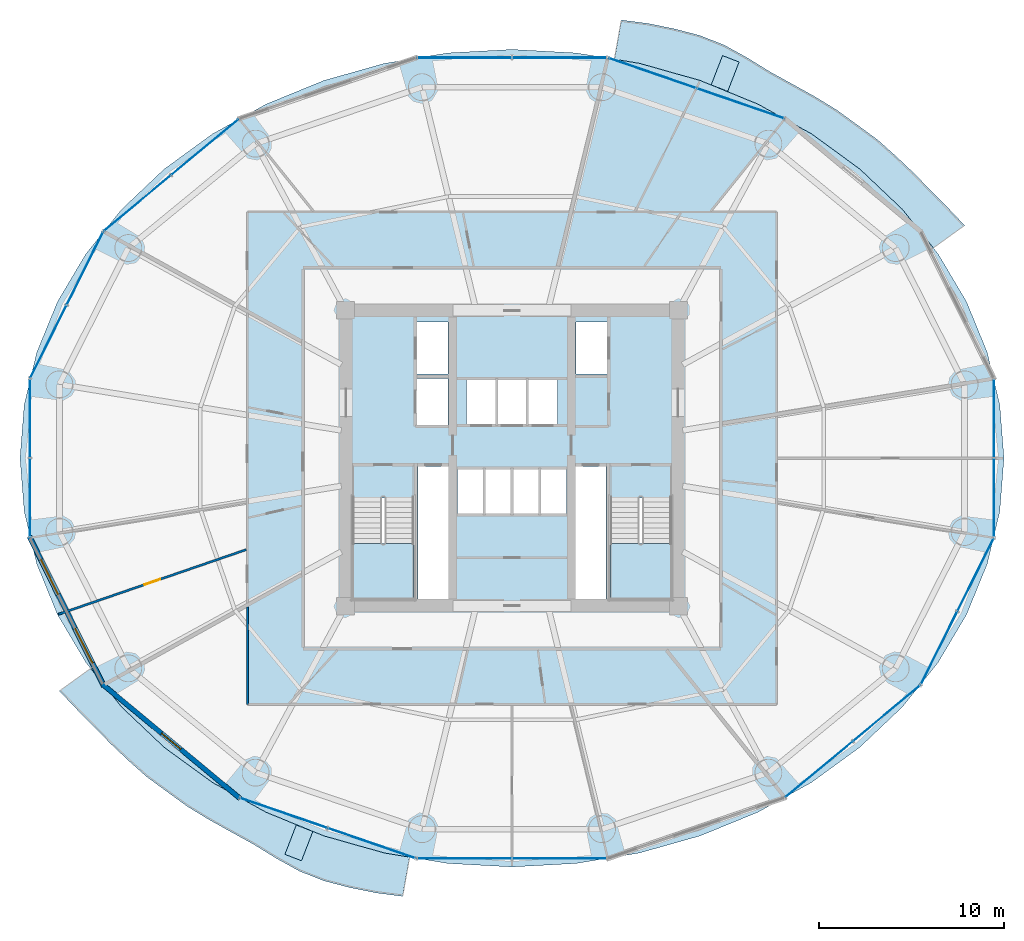
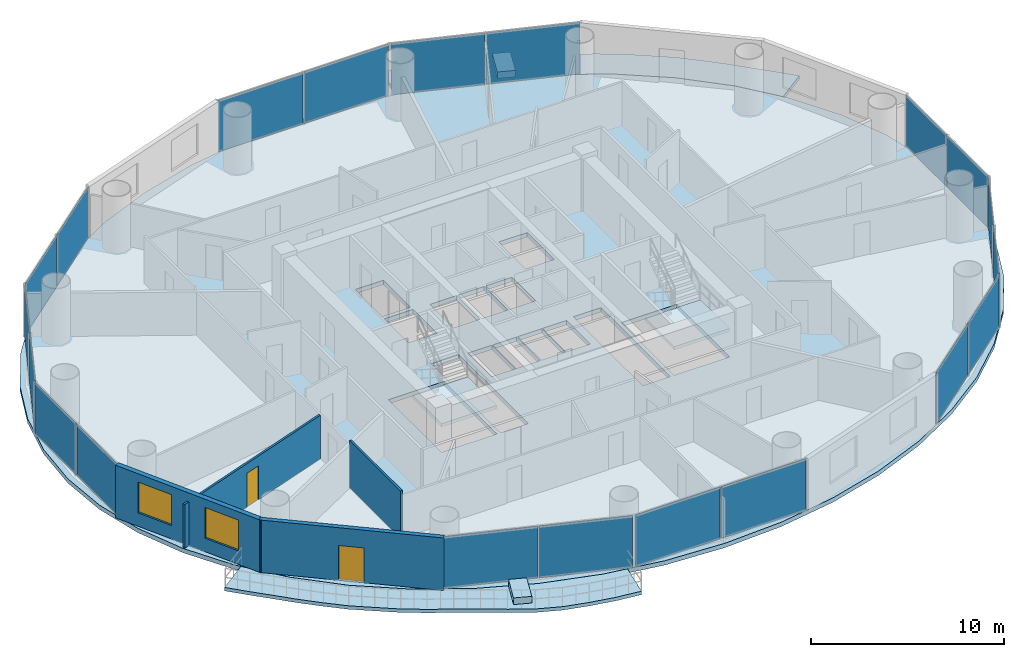
# One storey, part 21 of 29: 20 plates, 7 slabs, 4 walls, 2 doors, 2 windows, 4 openings, 12 elements without a shape of their own.
"""IFC4 building model written with IfcOpenShell, lengths in metres."""

from ifc_helpers import new_model, si_unit, direction, frame, frame_2d, origin, origin_2d, place, context, subcontext, project, spatial, polyline, rectangle, outline, extrude, source, transform, mapped, material, layer, layer_set, type_object, element, fill, aggregate, save


model = new_model("IFC4")

# Units and contexts
model_context = context("Model", 3, precision=1e-05, world=origin(), true_north=direction((-0.2419218956, 0.970295726276)))
body_context = subcontext(model_context, "Body", "Model", "MODEL_VIEW")
ifc_project = project(units=[si_unit("LENGTHUNIT", "METRE"), si_unit("AREAUNIT", "SQUARE_METRE"), si_unit("VOLUMEUNIT", "CUBIC_METRE"), si_unit("PLANEANGLEUNIT", "RADIAN"), si_unit("MASSUNIT", "GRAM", prefix="KILO")], contexts=[model_context])

# Site, building, storey
site_placement = place(None, origin())
site = spatial("IfcSite", under=ifc_project, at=site_placement, CompositionType="ELEMENT")
building_placement = place(site_placement, origin())
building = spatial("IfcBuilding", under=site, at=building_placement, Name="Cobrevalo Terracotta Tower", CompositionType="ELEMENT")
storey_placement = place(building_placement, frame((0.0, 0.0, 123.0)))
storey = spatial("IfcBuildingStorey", under=building, at=storey_placement, Name="L32", CompositionType="ELEMENT", Elevation=123.0)

# Stair, slab
ifc_material_1 = material(Name="Concrete C50", Category="concrete")
stair_type = type_object("IfcStairType", Name="Core protected escape dogleg stair 1600", PredefinedType="HALF_TURN_STAIR", material=ifc_material_1)
stair_1_placement = place(storey_placement, origin())
stair_1 = element("IfcStair", 1, at=stair_1_placement, inside=storey, type_object=stair_type, Name="L32 Protected exit stair ST-1", PredefinedType="HALF_TURN_STAIR")
ifc_layer_1 = layer(ifc_material_1, 0.199951171875)
ifc_layer_set_1 = layer_set([ifc_layer_1], Name="Concrete C50")
slab_type_1 = type_object("IfcSlabType", Name="Reinforced Concrete Stair Landing 200", PredefinedType="LANDING", material=ifc_layer_set_1)
slab_1_placement = place(storey_placement, frame((0.0, 0.0, 1.60009765625)))
slab_1 = element("IfcSlab", 2, at=slab_1_placement, type_object=slab_type_1, Name="ST-1 landing 1", PredefinedType="LANDING", context=body_context, shape_type="SweptSolid", body=[
    extrude(outline(polyline([(29.375, 22.179931640625), (29.375, 19.175048828125), (32.695068359375, 19.175048828125), (32.695068359375, 22.179931640625), (29.375, 22.179931640625)])), origin(), (0.0, 0.0, 1.0), 0.199951171875),
])
aggregate(stair_1, [slab_1])

stair_2_placement = place(storey_placement, origin())
stair_2 = element("IfcStair", 3, at=stair_2_placement, inside=storey, type_object=stair_type, Name="L32 Protected exit stair ST-2", PredefinedType="HALF_TURN_STAIR")
slab_2_placement = place(storey_placement, frame((0.0, 0.0, 1.60009765625)))
slab_2 = element("IfcSlab", 4, at=slab_2_placement, type_object=slab_type_1, Name="ST-2 landing 1", PredefinedType="LANDING", context=body_context, shape_type="SweptSolid", body=[
    extrude(outline(polyline([(43.304931640625, 22.179931640625), (43.304931640625, 19.175048828125), (46.625, 19.175048828125), (46.625, 22.179931640625), (43.304931640625, 22.179931640625)])), origin(), (0.0, 0.0, 1.0), 0.199951171875),
])
aggregate(stair_2, [slab_2])

# Slabs
ifc_material_2 = material(Name="Concrete C45", Category="concrete")
ifc_layer_2 = layer(ifc_material_2, 0.219970703125)
ifc_layer_set_2 = layer_set([ifc_layer_2], Name="Concrete C45")
slab_type_2 = type_object("IfcSlabType", Name="Spiralling cantilevered balcony lobe slab 220 mm", PredefinedType="FLOOR", material=ifc_layer_set_2)
slab_3_placement = place(storey_placement, frame((0.0, 0.0, -0.219970703125)))
element("IfcSlab", 5, at=slab_3_placement, inside=storey, type_object=slab_type_2, Name="L32 spiralling arc balcony slab lobe 1", PredefinedType="FLOOR", context=body_context, shape_type="SweptSolid", body=[
    extrude(outline(polyline([(62.4775390625, 39.376953125), (61.565673828125, 40.339599609375), (60.64111328125, 41.2724609375), (59.715087890625, 42.221435546875), (58.7470703125, 43.138427734375), (57.74951171875, 44.027587890625), (56.652099609375, 44.830322265625), (55.553466796875, 45.62841796875), (54.381103515625, 46.34375), (53.172119140625, 47.015625), (51.959228515625, 47.68408203125), (50.747802734375, 48.431884765625), (49.495361328125, 49.12548828125), (48.161865234375, 49.65380859375), (46.764404296875, 50.017333984375), (45.353271484375, 50.30322265625), (43.91357421875, 50.49072265625), (43.5380859375, 48.37158203125), (44.885009765625, 48.14892578125), (48.18017578125, 47.219482421875), (51.301025390625, 45.94091796875), (54.1943359375, 44.334716796875), (56.810546875, 42.428466796875), (59.104736328125, 40.2548828125), (60.79052734375, 38.158935546875), (62.4775390625, 39.376953125)])), origin(), (0.0, 0.0, 1.0), 0.219970703125),
])
slab_4_placement = place(storey_placement, frame((0.0, 0.0, -0.219970703125)))
element("IfcSlab", 6, at=slab_4_placement, inside=storey, type_object=slab_type_2, Name="L32 spiralling arc balcony slab lobe 2", PredefinedType="FLOOR", context=body_context, shape_type="SweptSolid", body=[
    extrude(outline(polyline([(13.5224609375, 14.222900390625), (14.434326171875, 13.260498046875), (15.35888671875, 12.327392578125), (16.284912109375, 11.37841796875), (17.2529296875, 10.46142578125), (18.25048828125, 9.572509765625), (19.347900390625, 8.769775390625), (20.446533203125, 7.971435546875), (21.618896484375, 7.25634765625), (22.827880859375, 6.58447265625), (24.040771484375, 5.916015625), (25.252197265625, 5.168212890625), (26.504638671875, 4.474365234375), (27.838134765625, 3.9462890625), (29.235595703125, 3.582763671875), (30.646728515625, 3.296875), (32.08642578125, 3.109375), (32.4619140625, 5.228515625), (31.114990234375, 5.451171875), (27.81982421875, 6.38037109375), (24.698974609375, 7.6591796875), (21.8056640625, 9.265380859375), (19.189453125, 11.171630859375), (16.895263671875, 13.34521484375), (15.20947265625, 15.441162109375), (13.5224609375, 14.222900390625)])), origin(), (0.0, 0.0, 1.0), 0.219970703125),
])
ifc_material_3 = material(Name="Precast concrete C45", Category="concrete")
ifc_layer_3 = layer(ifc_material_3, 0.419921875)
ifc_layer_set_3 = layer_set([ifc_layer_3], Name="Precast concrete C45")
slab_type_3 = type_object("IfcSlabType", Name="Structural tree planter trough base 420 mm", PredefinedType="USERDEFINED", material=ifc_layer_set_3)
slab_5_placement = place(storey_placement, origin())
element("IfcSlab", 7, at=slab_5_placement, inside=storey, type_object=slab_type_3, Name="L32 structural tree planter trough 1", ObjectType="PLANTER", PredefinedType="USERDEFINED", context=body_context, shape_type="SweptSolid", body=[
    extrude(outline(polyline([(49.663818359375, 46.634033203125), (50.277099609375, 48.219482421875), (49.381591796875, 48.56591796875), (48.768310546875, 46.980224609375), (49.663818359375, 46.634033203125)])), origin(), (0.0, 0.0, 1.0), 0.419921875),
])
slab_6_placement = place(storey_placement, origin())
element("IfcSlab", 8, at=slab_6_placement, inside=storey, type_object=slab_type_3, Name="L32 structural tree planter trough 2", ObjectType="PLANTER", PredefinedType="USERDEFINED", context=body_context, shape_type="SweptSolid", body=[
    extrude(outline(polyline([(26.336181640625, 6.966064453125), (25.722900390625, 5.380615234375), (26.618408203125, 5.0341796875), (27.231689453125, 6.61962890625), (26.336181640625, 6.966064453125)])), origin(), (0.0, 0.0, 1.0), 0.419921875),
])
ifc_layer_4 = layer(ifc_material_1, 0.27490234375)
ifc_layer_set_4 = layer_set([ifc_layer_4], Name="Concrete C50")
slab_type_4 = type_object("IfcSlabType", Name="Zone Z2 elliptical floor plate 275 mm", PredefinedType="FLOOR", material=ifc_layer_set_4)
slab_7_placement = place(storey_placement, frame((0.0, 0.0, -0.27490234375)))
element("IfcSlab", 9, at=slab_7_placement, inside=storey, type_object=slab_type_4, Name="L32 indoor elliptical floor slab", PredefinedType="FLOOR", context=body_context, shape_type="SweptSolid", body=[
    extrude(outline(polyline([(64.372314453125, 23.915283203125), (63.693603515625, 21.080078125), (62.5751953125, 18.3427734375), (61.036376953125, 15.75), (59.103271484375, 13.346435546875), (56.80908203125, 11.1728515625), (54.193115234375, 9.266845703125), (51.300048828125, 7.660888671875), (48.179443359375, 6.38232421875), (44.884521484375, 5.453125), (41.471923828125, 4.88916015625), (38.0, 4.699951171875), (34.528076171875, 4.88916015625), (31.115478515625, 5.453125), (27.820556640625, 6.38232421875), (24.699951171875, 7.660888671875), (21.806884765625, 9.266845703125), (19.19091796875, 11.1728515625), (16.896728515625, 13.346435546875), (14.963623046875, 15.75), (13.4248046875, 18.3427734375), (12.306396484375, 21.080078125), (11.627685546875, 23.915283203125), (11.39990234375, 26.800048828125), (11.627685546875, 29.6845703125), (12.306396484375, 32.52001953125), (13.4248046875, 35.25732421875), (14.963623046875, 37.85009765625), (16.896728515625, 40.253662109375), (19.19091796875, 42.427001953125), (21.806884765625, 44.3330078125), (24.699951171875, 45.939208984375), (27.820556640625, 47.2177734375), (31.115478515625, 48.14697265625), (34.528076171875, 48.7109375), (38.0, 48.89990234375), (41.471923828125, 48.7109375), (44.884521484375, 48.14697265625), (48.179443359375, 47.2177734375), (51.300048828125, 45.939208984375), (54.193115234375, 44.3330078125), (56.80908203125, 42.427001953125), (59.103271484375, 40.253662109375), (61.036376953125, 37.85009765625), (62.5751953125, 35.25732421875), (63.693603515625, 32.52001953125), (64.372314453125, 29.6845703125), (64.60009765625, 26.800048828125), (64.372314453125, 23.915283203125)]), holes=[polyline([(32.695068359375, 19.175048828125), (32.695068359375, 24.659912109375), (29.375, 24.659912109375), (29.375, 19.175048828125), (32.695068359375, 19.175048828125)]), polyline([(34.574951171875, 19.175048828125), (34.574951171875, 26.360107421875), (32.919921875, 26.360107421875), (32.919921875, 19.175048828125), (34.574951171875, 19.175048828125)]), polyline([(36.47998046875, 23.800048828125), (36.47998046875, 26.25), (35.050048828125, 26.25), (35.050048828125, 23.800048828125), (36.47998046875, 23.800048828125)]), polyline([(37.9599609375, 23.800048828125), (37.9599609375, 26.25), (36.530029296875, 26.25), (36.530029296875, 23.800048828125), (37.9599609375, 23.800048828125)]), polyline([(37.1201171875, 28.60009765625), (37.1201171875, 31.050048828125), (35.550048828125, 31.050048828125), (35.550048828125, 28.60009765625), (37.1201171875, 28.60009765625)]), polyline([(34.550048828125, 28.60009765625), (34.550048828125, 31.10009765625), (32.85009765625, 31.10009765625), (32.85009765625, 28.60009765625), (34.550048828125, 28.60009765625)]), polyline([(34.550048828125, 31.35009765625), (34.550048828125, 34.14990234375), (32.85009765625, 34.14990234375), (32.85009765625, 31.35009765625), (34.550048828125, 31.35009765625)]), polyline([(46.625, 19.175048828125), (46.625, 24.659912109375), (43.304931640625, 24.659912109375), (43.304931640625, 19.175048828125), (46.625, 19.175048828125)]), polyline([(43.080078125, 19.175048828125), (43.080078125, 26.360107421875), (41.425048828125, 26.360107421875), (41.425048828125, 19.175048828125), (43.080078125, 19.175048828125)]), polyline([(39.469970703125, 23.800048828125), (39.469970703125, 26.25), (38.0400390625, 26.25), (38.0400390625, 23.800048828125), (39.469970703125, 23.800048828125)]), polyline([(40.949951171875, 23.800048828125), (40.949951171875, 26.25), (39.52001953125, 26.25), (39.52001953125, 23.800048828125), (40.949951171875, 23.800048828125)]), polyline([(38.780029296875, 28.60009765625), (38.780029296875, 31.050048828125), (37.219970703125, 31.050048828125), (37.219970703125, 28.60009765625), (38.780029296875, 28.60009765625)]), polyline([(40.449951171875, 28.60009765625), (40.449951171875, 31.050048828125), (38.8798828125, 31.050048828125), (38.8798828125, 28.60009765625), (40.449951171875, 28.60009765625)]), polyline([(43.14990234375, 31.35009765625), (43.14990234375, 34.14990234375), (41.449951171875, 34.14990234375), (41.449951171875, 31.35009765625), (43.14990234375, 31.35009765625)])]), origin(), (0.0, 0.0, 1.0), 0.27490234375),
])

# Curtain wall, plates
ifc_material_4 = material(Name="Anodized aluminium", Category="aluminium")
curtain_wall_type = type_object("IfcCurtainWallType", Name="Lower-tower unitised acoustic low-E curtain wall CW-U1", PredefinedType="NOTDEFINED", material=ifc_material_4)
curtain_wall_1_placement = place(storey_placement, origin())
curtain_wall_1 = element("IfcCurtainWall", 10, at=curtain_wall_1_placement, inside=storey, type_object=curtain_wall_type, Name="L32 curtain wall CW-L32-S03", PredefinedType="NOTDEFINED")
ifc_material_5 = material(Name="Solar-control low-E double glazing", Category="glass")
ifc_layer_5 = layer(ifc_material_5, 0.028076171875)
ifc_layer_set_5 = layer_set([ifc_layer_5], Name="Solar-control low-E double glazing")
plate_type = type_object("IfcPlateType", Name="Tower solar-control low-E vision glass panel 28 mm", PredefinedType="CURTAIN_PANEL", material=ifc_layer_set_5)
shared_shape_1 = source(origin(), body_context, "Body", "SweptSolid", [
    extrude(rectangle(XDim=4.944580078125, YDim=0.035888671875, at=origin_2d()), origin(), (0.0, 0.0, 1.0), 3.2451171875),
])
plate_1_placement = place(storey_placement, frame((50.34814453125, 45.98095703125, 0.0400390625), z_axis=(0.0, 0.0, 1.0), x_axis=(-0.945596395206, 0.325342062104, 0.0)))
plate_1 = element("IfcPlate", 11, at=plate_1_placement, type_object=plate_type, Name="CW-L32-S03 glazing panel B01", PredefinedType="CURTAIN_PANEL", context=body_context, shape_type="MappedRepresentation", body=[
    mapped(shared_shape_1, transform((0.0, 0.0, 0.0), scale=1.0)),
])
plate_2_placement = place(storey_placement, frame((45.596923828125, 47.615478515625, 0.0400390625), z_axis=(0.0, 0.0, 1.0), x_axis=(-0.945596395206, 0.325342062104, 0.0)))
plate_2 = element("IfcPlate", 12, at=plate_2_placement, type_object=plate_type, Name="CW-L32-S03 glazing panel B02", PredefinedType="CURTAIN_PANEL", context=body_context, shape_type="MappedRepresentation", body=[
    mapped(shared_shape_1, transform((0.0, 0.0, 0.0), scale=1.0)),
])
aggregate(curtain_wall_1, [plate_1, plate_2])

curtain_wall_2_placement = place(storey_placement, origin())
curtain_wall_2 = element("IfcCurtainWall", 13, at=curtain_wall_2_placement, inside=storey, type_object=curtain_wall_type, Name="L32 curtain wall CW-L32-S11", PredefinedType="NOTDEFINED")
plate_3_placement = place(storey_placement, frame((25.65185546875, 7.619140625, 0.0400390625), z_axis=(0.0, 0.0, 1.0), x_axis=(0.945596395206, -0.325342062104, 0.0)))
plate_3 = element("IfcPlate", 14, at=plate_3_placement, type_object=plate_type, Name="CW-L32-S11 glazing panel B01", PredefinedType="CURTAIN_PANEL", context=body_context, shape_type="MappedRepresentation", body=[
    mapped(shared_shape_1, transform((0.0, 0.0, 0.0), scale=1.0)),
])
plate_4_placement = place(storey_placement, frame((30.403076171875, 5.984375, 0.0400390625), z_axis=(0.0, 0.0, 1.0), x_axis=(0.945596395206, -0.325342062104, 0.0)))
plate_4 = element("IfcPlate", 15, at=plate_4_placement, type_object=plate_type, Name="CW-L32-S11 glazing panel B02", PredefinedType="CURTAIN_PANEL", context=body_context, shape_type="MappedRepresentation", body=[
    mapped(shared_shape_1, transform((0.0, 0.0, 0.0), scale=1.0)),
])
aggregate(curtain_wall_2, [plate_3, plate_4])

curtain_wall_3_placement = place(storey_placement, origin())
curtain_wall_3 = element("IfcCurtainWall", 16, at=curtain_wall_3_placement, inside=storey, type_object=curtain_wall_type, Name="L32 curtain wall CW-L32-S04", PredefinedType="NOTDEFINED")
shared_shape_2 = source(origin(), body_context, "Body", "SweptSolid", [
    extrude(rectangle(XDim=5.0634765625, YDim=0.035888671875, at=origin_2d()), origin(), (0.0, 0.0, 1.0), 3.2451171875),
])
plate_5_placement = place(storey_placement, frame((40.57177734375, 48.446044921875, 0.0400390625), z_axis=(0.0, 0.0, 1.0), x_axis=(-1.0, 0.0, 0.0)))
plate_5 = element("IfcPlate", 17, at=plate_5_placement, type_object=plate_type, Name="CW-L32-S04 glazing panel B01", PredefinedType="CURTAIN_PANEL", context=body_context, shape_type="MappedRepresentation", body=[
    mapped(shared_shape_2, transform((0.0, 0.0, 0.0), scale=1.0)),
])
plate_6_placement = place(storey_placement, frame((35.42822265625, 48.446044921875, 0.0400390625), z_axis=(0.0, 0.0, 1.0), x_axis=(-1.0, 0.0, 0.0)))
plate_6 = element("IfcPlate", 18, at=plate_6_placement, type_object=plate_type, Name="CW-L32-S04 glazing panel B02", PredefinedType="CURTAIN_PANEL", context=body_context, shape_type="MappedRepresentation", body=[
    mapped(shared_shape_2, transform((0.0, 0.0, 0.0), scale=1.0)),
])
aggregate(curtain_wall_3, [plate_5, plate_6])

curtain_wall_4_placement = place(storey_placement, origin())
curtain_wall_4 = element("IfcCurtainWall", 19, at=curtain_wall_4_placement, inside=storey, type_object=curtain_wall_type, Name="L32 curtain wall CW-L32-S12", PredefinedType="NOTDEFINED")
plate_7_placement = place(storey_placement, frame((35.42822265625, 5.154052734375, 0.0400390625), z_axis=(0.0, 0.0, 1.0), x_axis=(1.0, 0.0, 0.0)))
plate_7 = element("IfcPlate", 20, at=plate_7_placement, type_object=plate_type, Name="CW-L32-S12 glazing panel B01", PredefinedType="CURTAIN_PANEL", context=body_context, shape_type="MappedRepresentation", body=[
    mapped(shared_shape_2, transform((0.0, 0.0, 0.0), scale=1.0)),
])
plate_8_placement = place(storey_placement, frame((40.57177734375, 5.154052734375, 0.0400390625), z_axis=(0.0, 0.0, 1.0), x_axis=(1.0, 0.0, 0.0)))
plate_8 = element("IfcPlate", 21, at=plate_8_placement, type_object=plate_type, Name="CW-L32-S12 glazing panel B02", PredefinedType="CURTAIN_PANEL", context=body_context, shape_type="MappedRepresentation", body=[
    mapped(shared_shape_2, transform((0.0, 0.0, 0.0), scale=1.0)),
])
aggregate(curtain_wall_4, [plate_7, plate_8])

curtain_wall_5_placement = place(storey_placement, origin())
curtain_wall_5 = element("IfcCurtainWall", 22, at=curtain_wall_5_placement, inside=storey, type_object=curtain_wall_type, Name="L32 curtain wall CW-L32-S06", PredefinedType="NOTDEFINED")
shared_shape_3 = source(origin(), body_context, "Body", "SweptSolid", [
    extrude(rectangle(XDim=4.64501953125, YDim=0.035888671875, at=origin_2d()), origin(), (0.0, 0.0, 1.0), 3.2451171875),
])
plate_9_placement = place(storey_placement, frame((21.390380859375, 43.615478515625, 0.0400390625), z_axis=(0.0, 0.0, 1.0), x_axis=(-0.769241221277, -0.638958483384, 0.0)))
plate_9 = element("IfcPlate", 23, at=plate_9_placement, type_object=plate_type, Name="CW-L32-S06 glazing panel B01", PredefinedType="CURTAIN_PANEL", context=body_context, shape_type="MappedRepresentation", body=[
    mapped(shared_shape_3, transform((0.0, 0.0, 0.0), scale=1.0)),
])
plate_10_placement = place(storey_placement, frame((17.755859375, 40.596435546875, 0.0400390625), z_axis=(0.0, 0.0, 1.0), x_axis=(-0.769241221277, -0.638958483384, 0.0)))
plate_10 = element("IfcPlate", 24, at=plate_10_placement, type_object=plate_type, Name="CW-L32-S06 glazing panel B02", PredefinedType="CURTAIN_PANEL", context=body_context, shape_type="MappedRepresentation", body=[
    mapped(shared_shape_3, transform((0.0, 0.0, 0.0), scale=1.0)),
])
aggregate(curtain_wall_5, [plate_9, plate_10])

curtain_wall_6_placement = place(storey_placement, origin())
curtain_wall_6 = element("IfcCurtainWall", 25, at=curtain_wall_6_placement, inside=storey, type_object=curtain_wall_type, Name="L32 curtain wall CW-L32-S14", PredefinedType="NOTDEFINED")
plate_11_placement = place(storey_placement, frame((54.609619140625, 9.984619140625, 0.0400390625), z_axis=(0.0, 0.0, 1.0), x_axis=(0.769241221277, 0.638958483384, 0.0)))
plate_11 = element("IfcPlate", 26, at=plate_11_placement, type_object=plate_type, Name="CW-L32-S14 glazing panel B01", PredefinedType="CURTAIN_PANEL", context=body_context, shape_type="MappedRepresentation", body=[
    mapped(shared_shape_3, transform((0.0, 0.0, 0.0), scale=1.0)),
])
plate_12_placement = place(storey_placement, frame((58.244140625, 13.00341796875, 0.0400390625), z_axis=(0.0, 0.0, 1.0), x_axis=(0.769241221277, 0.638958483384, 0.0)))
plate_12 = element("IfcPlate", 27, at=plate_12_placement, type_object=plate_type, Name="CW-L32-S14 glazing panel B02", PredefinedType="CURTAIN_PANEL", context=body_context, shape_type="MappedRepresentation", body=[
    mapped(shared_shape_3, transform((0.0, 0.0, 0.0), scale=1.0)),
])
aggregate(curtain_wall_6, [plate_11, plate_12])

curtain_wall_7_placement = place(storey_placement, origin())
curtain_wall_7 = element("IfcCurtainWall", 28, at=curtain_wall_7_placement, inside=storey, type_object=curtain_wall_type, Name="L32 curtain wall CW-L32-S07", PredefinedType="NOTDEFINED")
shared_shape_4 = source(origin(), body_context, "Body", "SweptSolid", [
    extrude(rectangle(XDim=4.3251953125, YDim=0.035888671875, at=origin_2d()), origin(), (0.0, 0.0, 1.0), 3.2451171875),
])
plate_13_placement = place(storey_placement, frame((14.906982421875, 37.0546875, 0.0400390625), z_axis=(0.0, 0.0, 1.0), x_axis=(-0.446261852127, -0.894902430065, 0.0)))
plate_13 = element("IfcPlate", 29, at=plate_13_placement, type_object=plate_type, Name="CW-L32-S07 glazing panel B01", PredefinedType="CURTAIN_PANEL", context=body_context, shape_type="MappedRepresentation", body=[
    mapped(shared_shape_4, transform((0.0, 0.0, 0.0), scale=1.0)),
])
plate_14_placement = place(storey_placement, frame((12.94140625, 33.112548828125, 0.0400390625), z_axis=(0.0, 0.0, 1.0), x_axis=(-0.446261852127, -0.894902430065, 0.0)))
plate_14 = element("IfcPlate", 30, at=plate_14_placement, type_object=plate_type, Name="CW-L32-S07 glazing panel B02", PredefinedType="CURTAIN_PANEL", context=body_context, shape_type="MappedRepresentation", body=[
    mapped(shared_shape_4, transform((0.0, 0.0, 0.0), scale=1.0)),
])
aggregate(curtain_wall_7, [plate_13, plate_14])

curtain_wall_8_placement = place(storey_placement, origin())
curtain_wall_8 = element("IfcCurtainWall", 31, at=curtain_wall_8_placement, inside=storey, type_object=curtain_wall_type, Name="L32 curtain wall CW-L32-S15", PredefinedType="NOTDEFINED")
plate_15_placement = place(storey_placement, frame((61.093017578125, 16.54541015625, 0.0400390625), z_axis=(0.0, 0.0, 1.0), x_axis=(0.446261852127, 0.894902430065, 0.0)))
plate_15 = element("IfcPlate", 32, at=plate_15_placement, type_object=plate_type, Name="CW-L32-S15 glazing panel B01", PredefinedType="CURTAIN_PANEL", context=body_context, shape_type="MappedRepresentation", body=[
    mapped(shared_shape_4, transform((0.0, 0.0, 0.0), scale=1.0)),
])
plate_16_placement = place(storey_placement, frame((63.05859375, 20.487548828125, 0.0400390625), z_axis=(0.0, 0.0, 1.0), x_axis=(0.446261852127, 0.894902430065, 0.0)))
plate_16 = element("IfcPlate", 33, at=plate_16_placement, type_object=plate_type, Name="CW-L32-S15 glazing panel B02", PredefinedType="CURTAIN_PANEL", context=body_context, shape_type="MappedRepresentation", body=[
    mapped(shared_shape_4, transform((0.0, 0.0, 0.0), scale=1.0)),
])
aggregate(curtain_wall_8, [plate_15, plate_16])

curtain_wall_9_placement = place(storey_placement, origin())
curtain_wall_9 = element("IfcCurtainWall", 34, at=curtain_wall_9_placement, inside=storey, type_object=curtain_wall_type, Name="L32 curtain wall CW-L32-S08", PredefinedType="NOTDEFINED")
shared_shape_5 = source(origin(), body_context, "Body", "SweptSolid", [
    extrude(rectangle(XDim=4.185546875, YDim=0.035888671875, at=origin_2d()), origin(), (0.0, 0.0, 1.0), 3.2451171875),
])
plate_17_placement = place(storey_placement, frame((11.9404296875, 28.932861328125, 0.0400390625), z_axis=(0.0, 0.0, 1.0), x_axis=(0.0, -1.0, 0.0)))
plate_17 = element("IfcPlate", 35, at=plate_17_placement, type_object=plate_type, Name="CW-L32-S08 glazing panel B01", PredefinedType="CURTAIN_PANEL", context=body_context, shape_type="MappedRepresentation", body=[
    mapped(shared_shape_5, transform((0.0, 0.0, 0.0), scale=1.0)),
])
plate_18_placement = place(storey_placement, frame((11.9404296875, 24.667236328125, 0.0400390625), z_axis=(0.0, 0.0, 1.0), x_axis=(0.0, -1.0, 0.0)))
plate_18 = element("IfcPlate", 36, at=plate_18_placement, type_object=plate_type, Name="CW-L32-S08 glazing panel B02", PredefinedType="CURTAIN_PANEL", context=body_context, shape_type="MappedRepresentation", body=[
    mapped(shared_shape_5, transform((0.0, 0.0, 0.0), scale=1.0)),
])
aggregate(curtain_wall_9, [plate_17, plate_18])

curtain_wall_10_placement = place(storey_placement, origin())
curtain_wall_10 = element("IfcCurtainWall", 37, at=curtain_wall_10_placement, inside=storey, type_object=curtain_wall_type, Name="L32 curtain wall CW-L32-S16", PredefinedType="NOTDEFINED")
plate_19_placement = place(storey_placement, frame((64.0595703125, 24.667236328125, 0.0400390625), z_axis=(0.0, 0.0, 1.0), x_axis=(0.0, 1.0, 0.0)))
plate_19 = element("IfcPlate", 38, at=plate_19_placement, type_object=plate_type, Name="CW-L32-S16 glazing panel B01", PredefinedType="CURTAIN_PANEL", context=body_context, shape_type="MappedRepresentation", body=[
    mapped(shared_shape_5, transform((0.0, 0.0, 0.0), scale=1.0)),
])
plate_20_placement = place(storey_placement, frame((64.0595703125, 28.932861328125, 0.0400390625), z_axis=(0.0, 0.0, 1.0), x_axis=(0.0, 1.0, 0.0)))
plate_20 = element("IfcPlate", 39, at=plate_20_placement, type_object=plate_type, Name="CW-L32-S16 glazing panel B02", PredefinedType="CURTAIN_PANEL", context=body_context, shape_type="MappedRepresentation", body=[
    mapped(shared_shape_5, transform((0.0, 0.0, 0.0), scale=1.0)),
])
aggregate(curtain_wall_10, [plate_19, plate_20])

# Wall, openings, windows
ifc_material_6 = material(Name="Autoclaved aerated concrete block", Category="concrete")
ifc_layer_6 = layer(ifc_material_6, 0.280029296875)
ifc_layer_set_6 = layer_set([ifc_layer_6], Name="Autoclaved aerated concrete block")
wall_type_1 = type_object("IfcWallType", Name="Insulated tower spandrel & pier wall 280 mm with terracotta rainscreen", PredefinedType="SOLIDWALL", material=ifc_layer_set_6)
wall_1_placement = place(storey_placement, frame((11.90478515625, 22.56591796875, 0.0), z_axis=(0.0, 0.0, 1.0), x_axis=(0.446274562077, -0.894896091869, 0.0)))
wall_1 = element("IfcWall", 40, at=wall_1_placement, inside=storey, type_object=wall_type_1, Name="L32 terracotta rainscreen pier wall S09", PredefinedType="SOLIDWALL", context=body_context, shape_type="SweptSolid", body=[
    extrude(rectangle(XDim=9.050048828125, YDim=0.280029296875, at=frame_2d((4.52490234375, 0.0))), origin(), (0.0, 0.0, 1.0), 3.324951171875),
])
opening_1_placement = place(wall_1_placement, frame((1.3935546875, 0.0, 0.85009765625)))
opening_1 = element("IfcOpeningElement", 41, at=opening_1_placement, cuts=wall_1, Name="Opening WN-10", PredefinedType="OPENING", context=body_context, shape_type="SweptSolid", body=[
    extrude(rectangle(XDim=2.10009765625, YDim=1.949951171875, at=frame_2d((1.050048828125, 0.97509765625))), frame((0.0, 0.14990234375, 0.0), z_axis=(0.0, -1.0, 0.0), x_axis=(1.0, 0.0, 0.0)), (0.0, 0.0, 1.0), 0.300048828125),
])
opening_2_placement = place(wall_1_placement, frame((5.556640625, 0.0, 0.85009765625)))
opening_2 = element("IfcOpeningElement", 42, at=opening_2_placement, cuts=wall_1, Name="Opening WN-10", PredefinedType="OPENING", context=body_context, shape_type="SweptSolid", body=[
    extrude(rectangle(XDim=2.10009765625, YDim=1.949951171875, at=frame_2d((1.050048828125, 0.97509765625))), frame((0.0, 0.14990234375, 0.0), z_axis=(0.0, -1.0, 0.0), x_axis=(1.0, 0.0, 0.0)), (0.0, 0.0, 1.0), 0.300048828125),
])
window_type = type_object("IfcWindowType", Name="Wide panoramic low-E aluminium window 2100x1950", PartitioningType="SINGLE_PANEL", PredefinedType="WINDOW", material=ifc_material_5)
shared_shape_6 = source(origin(), body_context, "Body", "SweptSolid", [
    extrude(rectangle(XDim=2.10009765625, YDim=1.949951171875, at=frame_2d((1.050048828125, 0.97509765625))), frame((0.0, 0.030029296875, 0.0), z_axis=(0.0, -1.0, 0.0), x_axis=(1.0, 0.0, 0.0)), (0.0, 0.0, 1.0), 0.06005859375),
])
window_1_placement = place(opening_1_placement, origin())
window_1 = element("IfcWindow", 43, at=window_1_placement, inside=storey, type_object=window_type, Name="L32 suite window S09A", OverallHeight=1.949951171875, OverallWidth=2.10009765625, PartitioningType="SINGLE_PANEL", PredefinedType="WINDOW", context=body_context, shape_type="MappedRepresentation", body=[
    mapped(shared_shape_6, transform((0.0, 0.0, 0.0), scale=1.0)),
])
fill(opening_1, window_1)
window_2_placement = place(opening_2_placement, origin())
window_2 = element("IfcWindow", 44, at=window_2_placement, inside=storey, type_object=window_type, Name="L32 suite window S09B", OverallHeight=1.949951171875, OverallWidth=2.10009765625, PartitioningType="SINGLE_PANEL", PredefinedType="WINDOW", context=body_context, shape_type="MappedRepresentation", body=[
    mapped(shared_shape_6, transform((0.0, 0.0, 0.0), scale=1.0)),
])
fill(opening_2, window_2)

# Wall, opening, door
ifc_layer_7 = layer(ifc_material_6, 0.260009765625)
ifc_layer_set_7 = layer_set([ifc_layer_7], Name="Autoclaved aerated concrete block")
wall_type_2 = type_object("IfcWallType", Name="Recessed balcony loggia insulated exterior wall 260 mm", PredefinedType="SOLIDWALL", material=ifc_layer_set_7)
wall_2_placement = place(storey_placement, frame((15.84619140625, 14.589599609375, 0.0), z_axis=(0.0, 0.0, 1.0), x_axis=(0.769254958887, -0.638941944333, 0.0)))
wall_2 = element("IfcWall", 45, at=wall_2_placement, inside=storey, type_object=wall_type_2, Name="L32 balcony loggia wall S10", PredefinedType="SOLIDWALL", context=body_context, shape_type="SweptSolid", body=[
    extrude(rectangle(XDim=9.689697265625, YDim=0.260009765625, at=frame_2d((4.8447265625, 0.0))), origin(), (0.0, 0.0, 1.0), 3.324951171875),
])
opening_3_placement = place(wall_2_placement, frame((4.169921875, 0.0, 0.0)))
opening_3 = element("IfcOpeningElement", 46, at=opening_3_placement, cuts=wall_2, Name="Opening ED-05", PredefinedType="OPENING", context=body_context, shape_type="SweptSolid", body=[
    extrude(rectangle(XDim=1.35009765625, YDim=2.199951171875, at=frame_2d((0.675048828125, 1.10009765625))), frame((0.0, 0.14013671875, 0.0), z_axis=(0.0, -1.0, 0.0), x_axis=(1.0, 0.0, 0.0)), (0.0, 0.0, 1.0), 0.280029296875),
])
ifc_material_7 = material(Name="Anodized aluminium and laminated glass", Category="aluminium")
door_type_1 = type_object("IfcDoorType", Name="Suite balcony acoustic glazed terrace door 1350x2200", OperationType="NOTDEFINED", PredefinedType="DOOR", material=ifc_material_7)
shared_shape_7 = source(origin(), body_context, "Body", "SweptSolid", [
    extrude(rectangle(XDim=1.35009765625, YDim=2.199951171875, at=frame_2d((0.675048828125, 1.10009765625))), frame((0.0, 0.02490234375, 0.0), z_axis=(0.0, -1.0, 0.0), x_axis=(1.0, 0.0, 0.0)), (0.0, 0.0, 1.0), 0.050048828125),
])
door_1_placement = place(opening_3_placement, frame((1.35009765625, 0.0, 0.0), z_axis=(0.0, 0.0, 1.0), x_axis=(-1.0, 0.0, 0.0)))
door_1 = element("IfcDoor", 47, at=door_1_placement, inside=storey, type_object=door_type_1, Name="L32 glazed balcony terrace door 2", OperationType="SINGLE_SWING_RIGHT", OverallHeight=2.199951171875, OverallWidth=1.35009765625, PredefinedType="DOOR", context=body_context, shape_type="MappedRepresentation", body=[
    mapped(shared_shape_7, transform((0.0, 0.0, 0.0), scale=1.0)),
])
fill(opening_3, door_1)

ifc_material_8 = material(Name="Gypsum board on steel stud", Category="steel")
ifc_layer_8 = layer(ifc_material_8, 0.1201171875)
ifc_layer_set_8 = layer_set([ifc_layer_8], Name="Gypsum board on steel stud")
wall_type_3 = type_object("IfcWallType", Name="Residential internal acoustic stud partition 120 mm", PredefinedType="PARTITIONING", material=ifc_layer_set_8)
wall_3_placement = place(storey_placement, frame((23.636474609375, 21.85693359375, 0.0), z_axis=(0.0, 0.0, 1.0), x_axis=(-0.945571197348, -0.325415289661, 0.0)))
wall_3 = element("IfcWall", 48, at=wall_3_placement, inside=storey, type_object=wall_type_3, Name="L32 interior partition IW-L32-U3-ORAD2M1", PredefinedType="PARTITIONING", context=body_context, shape_type="SweptSolid", body=[
    extrude(rectangle(XDim=10.73681640625, YDim=0.1201171875, at=frame_2d((5.368408203125, 0.0))), origin(), (0.0, 0.0, 1.0), 2.76708984375),
])
opening_4_placement = place(wall_3_placement, frame((4.918212890625, 0.0, 0.0)))
opening_4 = element("IfcOpeningElement", 49, at=opening_4_placement, cuts=wall_3, Name="Opening ID-12", PredefinedType="OPENING", context=body_context, shape_type="SweptSolid", body=[
    extrude(rectangle(XDim=0.89990234375, YDim=2.14990234375, at=frame_2d((0.449951171875, 1.074951171875))), frame((0.0, 0.070068359375, 0.0), z_axis=(0.0, -1.0, 0.0), x_axis=(1.0, 0.0, 0.0)), (0.0, 0.0, 1.0), 0.14013671875),
])
ifc_material_9 = material(Name="Engineered timber", Category="wood")
door_type_2 = type_object("IfcDoorType", Name="Internal residence & suite timber door 900x2150", OperationType="NOTDEFINED", PredefinedType="DOOR", material=ifc_material_9)
shared_shape_8 = source(origin(), body_context, "Body", "SweptSolid", [
    extrude(rectangle(XDim=0.89990234375, YDim=2.14990234375, at=frame_2d((0.449951171875, 1.074951171875))), frame((0.0, 0.02490234375, 0.0), z_axis=(0.0, -1.0, 0.0), x_axis=(1.0, 0.0, 0.0)), (0.0, 0.0, 1.0), 0.050048828125),
])
door_2_placement = place(opening_4_placement, frame((0.89990234375, 0.0, 0.0), z_axis=(0.0, 0.0, 1.0), x_axis=(-1.0, 0.0, 0.0)))
door_2 = element("IfcDoor", 50, at=door_2_placement, inside=storey, type_object=door_type_2, Name="Flat L32C Master Bedroom internal door", OperationType="SINGLE_SWING_LEFT", OverallHeight=2.14990234375, OverallWidth=0.89990234375, PredefinedType="DOOR", context=body_context, shape_type="MappedRepresentation", body=[
    mapped(shared_shape_8, transform((0.0, 0.0, 0.0), scale=1.0)),
])
fill(opening_4, door_2)

# Wall
wall_4_placement = place(storey_placement, frame((23.695068359375, 13.4951171875, 0.0), z_axis=(0.0, 0.0, 1.0), x_axis=(0.0, 1.0, 0.0)))
element("IfcWall", 51, at=wall_4_placement, inside=storey, type_object=wall_type_3, Name="L32 interior partition IW-L32-U4-RING1_0", PredefinedType="PARTITIONING", context=body_context, shape_type="SweptSolid", body=[
    extrude(rectangle(XDim=5.261474609375, YDim=0.1201171875, at=frame_2d((2.630859375, 0.0))), origin(), (0.0, 0.0, 1.0), 3.00390625),
])

save(model, "model.ifc")
